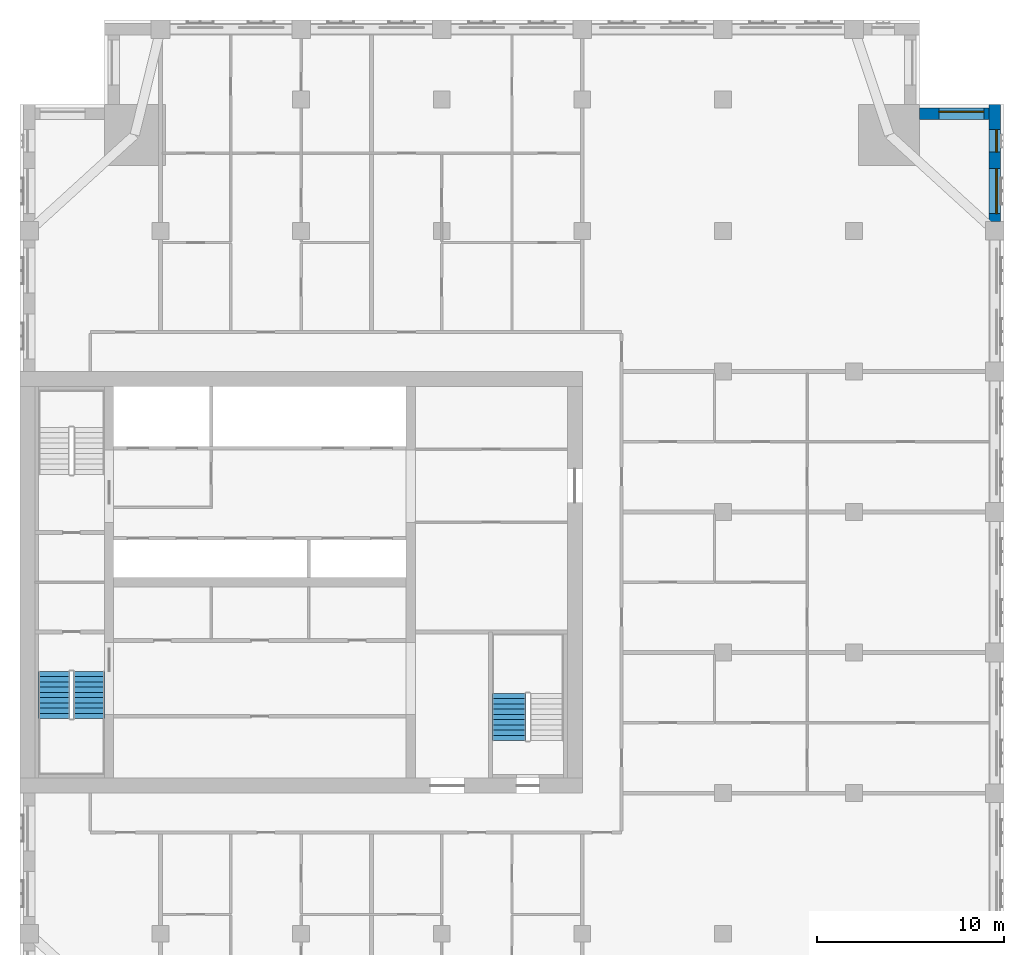
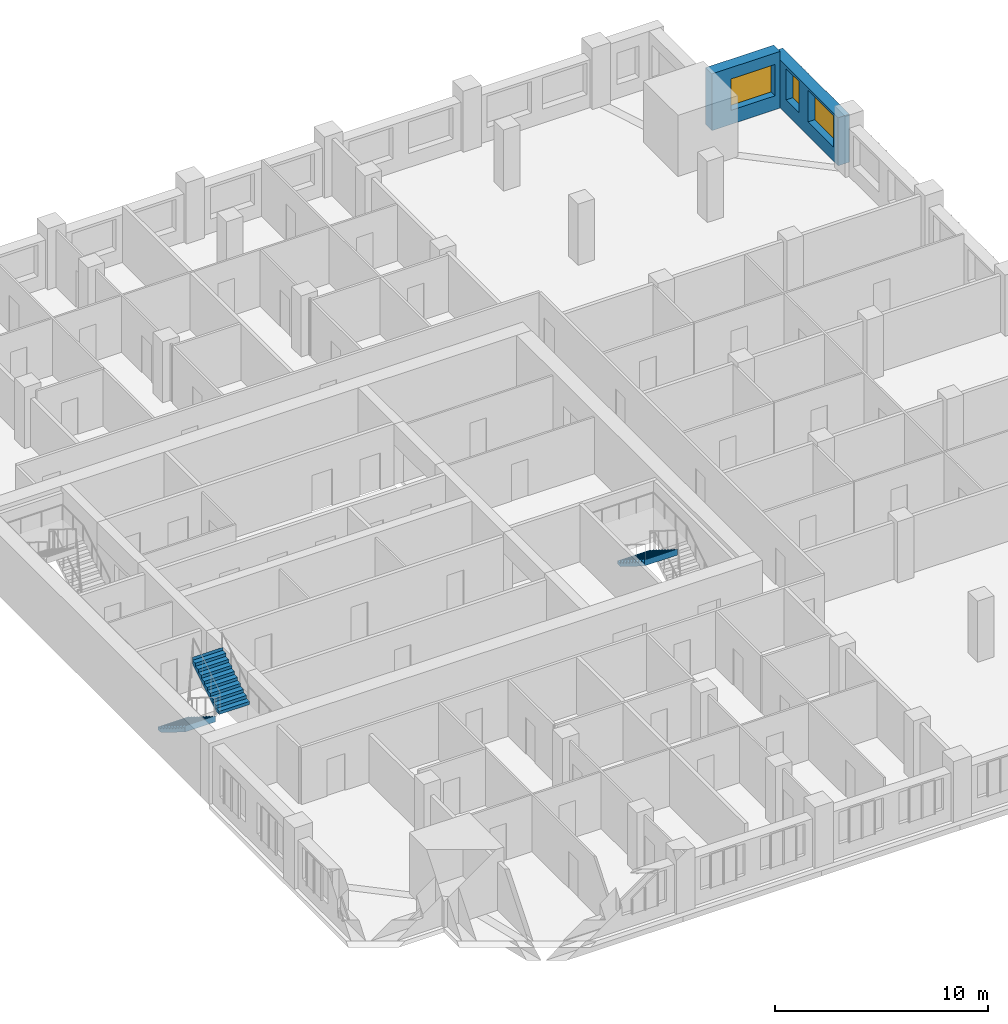
# One storey, part 12 of 14: 3 stair flights, 3 windows, 2 walls, 3 openings, 2 elements without a shape of their own.
"""IFC4 building model written with IfcOpenShell, lengths in metres."""

from ifc_helpers import new_model, si_unit, direction, frame, frame_2d, origin, place, context, subcontext, project, spatial, polyline, rectangle, outline, extrude, material, layer, layer_set, type_object, element, fill, aggregate, save


model = new_model("IFC4")

# Units and contexts
model_context = context("Model", 3, precision=1e-05, world=origin(), true_north=direction((0.0, 1.0)))
body_context = subcontext(model_context, "Body", "Model", "MODEL_VIEW")
ifc_project = project(units=[si_unit("LENGTHUNIT", "METRE"), si_unit("AREAUNIT", "SQUARE_METRE"), si_unit("VOLUMEUNIT", "CUBIC_METRE"), si_unit("PLANEANGLEUNIT", "RADIAN"), si_unit("MASSUNIT", "GRAM", prefix="KILO")], contexts=[model_context])

# Site, building, storey
site_placement = place(None, origin())
site = spatial("IfcSite", under=ifc_project, at=site_placement, CompositionType="ELEMENT")
building_placement = place(site_placement, origin())
building = spatial("IfcBuilding", under=site, at=building_placement, Name="Tamorin Gate", CompositionType="ELEMENT")
storey_placement = place(building_placement, frame((0.0, 0.0, 196.699951171875)))
storey = spatial("IfcBuildingStorey", under=building, at=storey_placement, Name="L48", CompositionType="ELEMENT", Elevation=196.699951171875)

# Wall, openings, windows
ifc_material_1 = material(Name="Precast concrete C40/50", Category="concrete")
ifc_layer = layer(ifc_material_1, 0.60009765625)
ifc_layer_set = layer_set([ifc_layer], Name="Precast concrete C40/50")
wall_type = type_object("IfcWallType", Name="Board-marked concrete facade panel 600", PredefinedType="SOLIDWALL", material=ifc_layer_set)
wall_1_placement = place(storey_placement, frame((82.0, 90.5, 0.0), z_axis=(0.0, 0.0, 1.0), x_axis=(0.0, 1.0, 0.0)))
wall_1 = element("IfcWall", 1, at=wall_1_placement, inside=storey, type_object=wall_type, Name="Facade panel", PredefinedType="SOLIDWALL", context=body_context, shape_type="SweptSolid", body=[
    extrude(rectangle(XDim=6.25, YDim=0.60009765625, at=frame_2d((3.125, 0.0))), origin(), (0.0, 0.0, 1.0), 2.75),
])
opening_1_placement = place(wall_1_placement, frame((0.425048828125, 0.0, 0.800048828125)))
opening_1 = element("IfcOpeningElement", 2, at=opening_1_placement, cuts=wall_1, Name="Opening WN1", PredefinedType="OPENING", context=body_context, shape_type="SweptSolid", body=[
    extrude(rectangle(XDim=2.39990234375, YDim=1.800048828125, at=frame_2d((1.199951171875, 0.89990234375))), frame((0.0, 0.31005859375, 0.0), z_axis=(0.0, -1.0, 0.0), x_axis=(1.0, 0.0, 0.0)), (0.0, 0.0, 1.0), 0.6201171875),
])
opening_2_placement = place(wall_1_placement, frame((3.699951171875, 0.0, 0.800048828125)))
opening_2 = element("IfcOpeningElement", 3, at=opening_2_placement, cuts=wall_1, Name="Opening WN3", PredefinedType="OPENING", context=body_context, shape_type="SweptSolid", body=[
    extrude(rectangle(XDim=1.199951171875, YDim=1.800048828125, at=frame_2d((0.60009765625, 0.89990234375))), frame((0.0, 0.31005859375, 0.0), z_axis=(0.0, -1.0, 0.0), x_axis=(1.0, 0.0, 0.0)), (0.0, 0.0, 1.0), 0.6201171875),
])
ifc_material_2 = material(Name="Clear glass in aluminium frame", Category="aluminium")
window_type_1 = type_object("IfcWindowType", Name="Deep-set window 1200x1800", PartitioningType="SINGLE_PANEL", PredefinedType="WINDOW", material=ifc_material_2)
window_1_placement = place(opening_2_placement, origin())
window_1 = element("IfcWindow", 4, at=window_1_placement, inside=storey, type_object=window_type_1, Name="Deep-set window", OverallHeight=1.800048828125, OverallWidth=1.199951171875, PartitioningType="SINGLE_PANEL", PredefinedType="WINDOW", context=body_context, shape_type="SweptSolid", body=[
    extrude(rectangle(XDim=1.199951171875, YDim=1.800048828125, at=frame_2d((0.60009765625, 0.89990234375))), frame((0.0, -0.070068359375, 0.0), z_axis=(0.0, -1.0, 0.0), x_axis=(1.0, 0.0, 0.0)), (0.0, 0.0, 1.0), 0.06005859375),
])
fill(opening_2, window_1)
window_type_2 = type_object("IfcWindowType", Name="Deep-set window 2400x1800", PartitioningType="SINGLE_PANEL", PredefinedType="WINDOW", material=ifc_material_2)
window_2_placement = place(opening_1_placement, origin())
window_2 = element("IfcWindow", 5, at=window_2_placement, inside=storey, type_object=window_type_2, Name="Deep-set window", OverallHeight=1.800048828125, OverallWidth=2.39990234375, PartitioningType="SINGLE_PANEL", PredefinedType="WINDOW", context=body_context, shape_type="SweptSolid", body=[
    extrude(rectangle(XDim=2.39990234375, YDim=1.800048828125, at=frame_2d((1.199951171875, 0.89990234375))), frame((0.0, -0.070068359375, 0.0), z_axis=(0.0, -1.0, 0.0), x_axis=(1.0, 0.0, 0.0)), (0.0, 0.0, 1.0), 0.06005859375),
])
fill(opening_1, window_2)

# Wall, opening, window
wall_2_placement = place(storey_placement, frame((81.699951171875, 96.25, 0.0), z_axis=(0.0, 0.0, 1.0), x_axis=(-1.0, 0.0, 0.0)))
wall_2 = element("IfcWall", 6, at=wall_2_placement, inside=storey, type_object=wall_type, Name="Facade panel", PredefinedType="SOLIDWALL", context=body_context, shape_type="SweptSolid", body=[
    extrude(rectangle(XDim=3.699951171875, YDim=0.60009765625, at=frame_2d((1.85009765625, 0.0))), origin(), (0.0, 0.0, 1.0), 3.25),
])
opening_3_placement = place(wall_2_placement, frame((0.27490234375, 0.0, 0.800048828125)))
opening_3 = element("IfcOpeningElement", 7, at=opening_3_placement, cuts=wall_2, Name="Opening WN1", PredefinedType="OPENING", context=body_context, shape_type="SweptSolid", body=[
    extrude(rectangle(XDim=2.39990234375, YDim=1.800048828125, at=frame_2d((1.199951171875, 0.89990234375))), frame((0.0, 0.31005859375, 0.0), z_axis=(0.0, -1.0, 0.0), x_axis=(1.0, 0.0, 0.0)), (0.0, 0.0, 1.0), 0.6201171875),
])
window_3_placement = place(opening_3_placement, origin())
window_3 = element("IfcWindow", 8, at=window_3_placement, inside=storey, type_object=window_type_2, Name="Deep-set window", OverallHeight=1.800048828125, OverallWidth=2.39990234375, PartitioningType="SINGLE_PANEL", PredefinedType="WINDOW", context=body_context, shape_type="SweptSolid", body=[
    extrude(rectangle(XDim=2.39990234375, YDim=1.800048828125, at=frame_2d((1.199951171875, 0.89990234375))), frame((0.0, -0.070068359375, 0.0), z_axis=(0.0, -1.0, 0.0), x_axis=(1.0, 0.0, 0.0)), (0.0, 0.0, 1.0), 0.06005859375),
])
fill(opening_3, window_3)

# Stair, stair flights
ifc_material_3 = material(Name="Concrete C40/50", Category="concrete")
stair_type = type_object("IfcStairType", Name="Exit stair", PredefinedType="HALF_TURN_STAIR", material=ifc_material_3)
stair_1_placement = place(storey_placement, origin())
stair_1 = element("IfcStair", 9, at=stair_1_placement, inside=storey, type_object=stair_type, Name="L48 stair ST1", PredefinedType="HALF_TURN_STAIR")
stair_flight_type = type_object("IfcStairFlightType", Name="Exit stair flight", PredefinedType="STRAIGHT", material=ifc_material_3)
stair_flight_1_placement = place(storey_placement, frame((31.824951171875, 66.5, 0.0), z_axis=(0.0, 0.0, 1.0), x_axis=(0.0, -1.0, 0.0)))
stair_flight_1 = element("IfcStairFlight", 10, at=stair_flight_1_placement, type_object=stair_flight_type, Name="ST1 flight 1", NumberOfRisers=10, NumberOfTreads=9, PredefinedType="STRAIGHT", RiserHeight=0.175, TreadLength=0.28, context=body_context, shape_type="SweptSolid", body=[
    extrude(outline(polyline([(-0.00048828125, 0.0), (-0.00048828125, 0.001708984375), (-0.00048828125, 0.00341796875), (-0.00048828125, 0.005126953125), (-0.00048828125, 0.0068359375), (-0.00048828125, 0.008544921875), (-0.00048828125, 0.010498046875), (-0.00048828125, 0.01220703125), (-0.00048828125, 0.013916015625), (-0.00048828125, 0.015625), (-0.00048828125, 0.017333984375), (-0.00048828125, 0.01904296875), (-0.00048828125, 0.020751953125), (-0.00048828125, 0.0224609375), (-0.00048828125, 0.024169921875), (-0.00048828125, 0.02587890625), (-0.00048828125, 0.02783203125), (-0.00048828125, 0.029541015625), (-0.00048828125, 0.03125), (-0.00048828125, 0.032958984375), (-0.00048828125, 0.03466796875), (-0.00048828125, 0.036376953125), (-0.00048828125, 0.0380859375), (-0.00048828125, 0.039794921875), (-0.00048828125, 0.04150390625), (-0.00048828125, 0.043212890625), (-0.00048828125, 0.045166015625), (-0.00048828125, 0.046875), (-0.00048828125, 0.048583984375), (-0.00048828125, 0.05029296875), (-0.00048828125, 0.052001953125), (-0.00048828125, 0.0537109375), (-0.00048828125, 0.055419921875), (-0.00048828125, 0.05712890625), (-0.00048828125, 0.058837890625), (-0.00048828125, 0.060546875), (-0.00048828125, 0.062255859375), (-0.00048828125, 0.064208984375), (-0.00048828125, 0.06591796875), (-0.00048828125, 0.067626953125), (-0.00048828125, 0.0693359375), (-0.00048828125, 0.071044921875), (-0.00048828125, 0.07275390625), (-0.00048828125, 0.074462890625), (-0.00048828125, 0.076171875), (-0.00048828125, 0.077880859375), (-0.00048828125, 0.07958984375), (-0.00048828125, 0.08154296875), (-0.00048828125, 0.083251953125), (-0.00048828125, 0.0849609375), (-0.00048828125, 0.086669921875), (-0.00048828125, 0.08837890625), (-0.00048828125, 0.090087890625), (-0.00048828125, 0.091796875), (-0.00048828125, 0.093505859375), (-0.00048828125, 0.09521484375), (-0.00048828125, 0.096923828125), (-0.00048828125, 0.098876953125), (-0.00048828125, 0.1005859375), (-0.00048828125, 0.102294921875), (-0.00048828125, 0.10400390625), (-0.00048828125, 0.105712890625), (-0.00048828125, 0.107421875), (-0.00048828125, 0.109130859375), (-0.00048828125, 0.11083984375), (-0.00048828125, 0.112548828125), (-0.00048828125, 0.1142578125), (-0.00048828125, 0.1162109375), (-0.00048828125, 0.117919921875), (-0.00048828125, 0.11962890625), (-0.00048828125, 0.121337890625), (-0.00048828125, 0.123046875), (-0.00048828125, 0.124755859375), (-0.00048828125, 0.12646484375), (-0.00048828125, 0.128173828125), (-0.00048828125, 0.1298828125), (-0.00048828125, 0.131591796875), (-0.00048828125, 0.13330078125), (-0.00048828125, 0.13525390625), (-0.00048828125, 0.136962890625), (-0.00048828125, 0.138671875), (-0.00048828125, 0.140380859375), (-0.00048828125, 0.14208984375), (-0.00048828125, 0.143798828125), (-0.00048828125, 0.1455078125), (-0.00048828125, 0.147216796875), (-0.00048828125, 0.14892578125), (-0.00048828125, 0.150634765625), (-0.00048828125, 0.152587890625), (-0.00048828125, 0.154296875), (-0.00048828125, 0.156005859375), (-0.00048828125, 0.15771484375), (-0.00048828125, 0.159423828125), (-0.00048828125, 0.1611328125), (-0.00048828125, 0.162841796875), (-0.00048828125, 0.16455078125), (-0.00048828125, 0.166259765625), (-0.00048828125, 0.16796875), (-0.00048828125, 0.169921875), (-0.00048828125, 0.171630859375), (-0.00048828125, 0.17333984375), (-0.00048828125, 0.175048828125), (0.280029296875, 0.175048828125), (0.280029296875, 0.35009765625), (0.56005859375, 0.35009765625), (0.56005859375, 0.52490234375), (0.840087890625, 0.52490234375), (0.840087890625, 0.699951171875), (1.1201171875, 0.699951171875), (1.1201171875, 0.875), (1.39990234375, 0.875), (1.39990234375, 1.050048828125), (1.679931640625, 1.050048828125), (1.679931640625, 1.22509765625), (1.9599609375, 1.22509765625), (1.9599609375, 1.39990234375), (2.239990234375, 1.39990234375), (2.239990234375, 1.574951171875), (2.52001953125, 1.574951171875), (2.52001953125, 1.75), (2.5205078125, 1.75), (2.5205078125, 1.74658203125), (2.5205078125, 1.742919921875), (2.5205078125, 1.739501953125), (2.5205078125, 1.736083984375), (2.5205078125, 1.732666015625), (2.5205078125, 1.72900390625), (2.5205078125, 1.7255859375), (2.5205078125, 1.72216796875), (2.5205078125, 1.71875), (2.5205078125, 1.715087890625), (2.5205078125, 1.711669921875), (2.5205078125, 1.708251953125), (2.5205078125, 1.704833984375), (2.5205078125, 1.701171875), (2.5205078125, 1.69775390625), (2.5205078125, 1.6943359375), (2.5205078125, 1.690673828125), (2.5205078125, 1.687255859375), (2.5205078125, 1.683837890625), (2.5205078125, 1.680419921875), (2.5205078125, 1.6767578125), (2.5205078125, 1.67333984375), (2.5205078125, 1.669921875), (2.5205078125, 1.66650390625), (2.5205078125, 1.662841796875), (2.5205078125, 1.659423828125), (2.5205078125, 1.656005859375), (2.5205078125, 1.652587890625), (2.5205078125, 1.64892578125), (2.5205078125, 1.6455078125), (2.5205078125, 1.64208984375), (2.5205078125, 1.638427734375), (2.5205078125, 1.635009765625), (2.5205078125, 1.631591796875), (2.5205078125, 1.628173828125), (2.5205078125, 1.62451171875), (2.5205078125, 1.62109375), (2.5205078125, 1.61767578125), (2.5205078125, 1.6142578125), (2.5205078125, 1.610595703125), (2.5205078125, 1.607177734375), (2.5205078125, 1.603759765625), (2.5205078125, 1.600341796875), (2.5205078125, 1.5966796875), (2.5205078125, 1.59326171875), (2.5205078125, 1.58984375), (2.5205078125, 1.58642578125), (2.5205078125, 1.582763671875), (2.5205078125, 1.579345703125), (2.5205078125, 1.575927734375), (2.5205078125, 1.572265625), (2.5205078125, 1.56884765625), (2.5205078125, 1.5654296875), (2.5205078125, 1.56201171875), (2.5205078125, 1.558349609375), (2.5205078125, 1.554931640625), (2.5205078125, 1.551513671875), (2.5205078125, 1.548095703125), (2.5205078125, 1.54443359375), (2.5205078125, 1.541015625), (2.5205078125, 1.53759765625), (2.5205078125, 1.5341796875), (2.5205078125, 1.530517578125), (2.5205078125, 1.527099609375), (2.5205078125, 1.523681640625), (2.5205078125, 1.52001953125), (2.5205078125, 1.5166015625), (2.5205078125, 1.51318359375), (2.5205078125, 1.509765625), (2.5205078125, 1.506103515625), (2.5205078125, 1.502685546875), (2.5205078125, 1.499267578125), (2.5205078125, 1.495849609375), (2.5205078125, 1.4921875), (2.5205078125, 1.48876953125), (2.5205078125, 1.4853515625), (2.5205078125, 1.48193359375), (2.5205078125, 1.478271484375), (2.5205078125, 1.474853515625), (2.5205078125, 1.471435546875), (2.5205078125, 1.4677734375), (2.5205078125, 1.46435546875), (2.5205078125, 1.4609375), (2.5205078125, 1.45751953125), (2.5205078125, 1.453857421875), (2.5205078125, 1.450439453125), (2.5205078125, 1.447021484375), (2.5205078125, 1.443603515625), (2.5205078125, 1.43994140625), (2.5205078125, 1.4365234375), (2.5205078125, 1.43310546875), (2.5205078125, 1.4296875), (2.5205078125, 1.426025390625), (2.5205078125, 1.422607421875), (2.5205078125, 1.419189453125), (2.5205078125, 1.41552734375), (2.5205078125, 1.412109375), (2.5205078125, 1.40869140625), (2.5205078125, 1.4052734375), (2.5205078125, 1.401611328125), (2.5205078125, 1.398193359375), (2.52001953125, 1.398193359375), (0.28271484375, 0.0), (-0.00048828125, 0.0)])), frame((0.0, 0.824951171875, 0.0), z_axis=(0.0, -1.0, 0.0), x_axis=(1.0, 0.0, 0.0)), (0.0, 0.0, 1.0), 1.64990234375),
])
stair_flight_2_placement = place(storey_placement, frame((33.675048828125, 63.97998046875, 1.75), z_axis=(0.0, 0.0, 1.0), x_axis=(0.0, 1.0, 0.0)))
stair_flight_2 = element("IfcStairFlight", 11, at=stair_flight_2_placement, type_object=stair_flight_type, Name="ST1 flight 2", NumberOfRisers=10, NumberOfTreads=9, PredefinedType="STRAIGHT", RiserHeight=0.175, TreadLength=0.28, context=body_context, shape_type="SweptSolid", body=[
    extrude(outline(polyline([(-0.00048828125, 0.0), (-0.00048828125, 0.001708984375), (-0.00048828125, 0.00341796875), (-0.00048828125, 0.005126953125), (-0.00048828125, 0.0068359375), (-0.00048828125, 0.008544921875), (-0.00048828125, 0.010498046875), (-0.00048828125, 0.01220703125), (-0.00048828125, 0.013916015625), (-0.00048828125, 0.015625), (-0.00048828125, 0.017333984375), (-0.00048828125, 0.01904296875), (-0.00048828125, 0.020751953125), (-0.00048828125, 0.0224609375), (-0.00048828125, 0.024169921875), (-0.00048828125, 0.02587890625), (-0.00048828125, 0.02783203125), (-0.00048828125, 0.029541015625), (-0.00048828125, 0.03125), (-0.00048828125, 0.032958984375), (-0.00048828125, 0.03466796875), (-0.00048828125, 0.036376953125), (-0.00048828125, 0.0380859375), (-0.00048828125, 0.039794921875), (-0.00048828125, 0.04150390625), (-0.00048828125, 0.043212890625), (-0.00048828125, 0.045166015625), (-0.00048828125, 0.046875), (-0.00048828125, 0.048583984375), (-0.00048828125, 0.05029296875), (-0.00048828125, 0.052001953125), (-0.00048828125, 0.0537109375), (-0.00048828125, 0.055419921875), (-0.00048828125, 0.05712890625), (-0.00048828125, 0.058837890625), (-0.00048828125, 0.060546875), (-0.00048828125, 0.062255859375), (-0.00048828125, 0.064208984375), (-0.00048828125, 0.06591796875), (-0.00048828125, 0.067626953125), (-0.00048828125, 0.0693359375), (-0.00048828125, 0.071044921875), (-0.00048828125, 0.07275390625), (-0.00048828125, 0.074462890625), (-0.00048828125, 0.076171875), (-0.00048828125, 0.077880859375), (-0.00048828125, 0.07958984375), (-0.00048828125, 0.08154296875), (-0.00048828125, 0.083251953125), (-0.00048828125, 0.0849609375), (-0.00048828125, 0.086669921875), (-0.00048828125, 0.08837890625), (-0.00048828125, 0.090087890625), (-0.00048828125, 0.091796875), (-0.00048828125, 0.093505859375), (-0.00048828125, 0.09521484375), (-0.00048828125, 0.096923828125), (-0.00048828125, 0.098876953125), (-0.00048828125, 0.1005859375), (-0.00048828125, 0.102294921875), (-0.00048828125, 0.10400390625), (-0.00048828125, 0.105712890625), (-0.00048828125, 0.107421875), (-0.00048828125, 0.109130859375), (-0.00048828125, 0.11083984375), (-0.00048828125, 0.112548828125), (-0.00048828125, 0.1142578125), (-0.00048828125, 0.1162109375), (-0.00048828125, 0.117919921875), (-0.00048828125, 0.11962890625), (-0.00048828125, 0.121337890625), (-0.00048828125, 0.123046875), (-0.00048828125, 0.124755859375), (-0.00048828125, 0.12646484375), (-0.00048828125, 0.128173828125), (-0.00048828125, 0.1298828125), (-0.00048828125, 0.131591796875), (-0.00048828125, 0.13330078125), (-0.00048828125, 0.13525390625), (-0.00048828125, 0.136962890625), (-0.00048828125, 0.138671875), (-0.00048828125, 0.140380859375), (-0.00048828125, 0.14208984375), (-0.00048828125, 0.143798828125), (-0.00048828125, 0.1455078125), (-0.00048828125, 0.147216796875), (-0.00048828125, 0.14892578125), (-0.00048828125, 0.150634765625), (-0.00048828125, 0.152587890625), (-0.00048828125, 0.154296875), (-0.00048828125, 0.156005859375), (-0.00048828125, 0.15771484375), (-0.00048828125, 0.159423828125), (-0.00048828125, 0.1611328125), (-0.00048828125, 0.162841796875), (-0.00048828125, 0.16455078125), (-0.00048828125, 0.166259765625), (-0.00048828125, 0.16796875), (-0.00048828125, 0.169921875), (-0.00048828125, 0.171630859375), (-0.00048828125, 0.17333984375), (-0.00048828125, 0.175048828125), (0.280029296875, 0.175048828125), (0.280029296875, 0.35009765625), (0.56005859375, 0.35009765625), (0.56005859375, 0.52490234375), (0.840087890625, 0.52490234375), (0.840087890625, 0.699951171875), (1.1201171875, 0.699951171875), (1.1201171875, 0.875), (1.39990234375, 0.875), (1.39990234375, 1.050048828125), (1.679931640625, 1.050048828125), (1.679931640625, 1.22509765625), (1.9599609375, 1.22509765625), (1.9599609375, 1.39990234375), (2.239990234375, 1.39990234375), (2.239990234375, 1.574951171875), (2.52001953125, 1.574951171875), (2.52001953125, 1.75), (2.5205078125, 1.75), (2.5205078125, 1.74658203125), (2.5205078125, 1.742919921875), (2.5205078125, 1.739501953125), (2.5205078125, 1.736083984375), (2.5205078125, 1.732666015625), (2.5205078125, 1.72900390625), (2.5205078125, 1.7255859375), (2.5205078125, 1.72216796875), (2.5205078125, 1.71875), (2.5205078125, 1.715087890625), (2.5205078125, 1.711669921875), (2.5205078125, 1.708251953125), (2.5205078125, 1.704833984375), (2.5205078125, 1.701171875), (2.5205078125, 1.69775390625), (2.5205078125, 1.6943359375), (2.5205078125, 1.690673828125), (2.5205078125, 1.687255859375), (2.5205078125, 1.683837890625), (2.5205078125, 1.680419921875), (2.5205078125, 1.6767578125), (2.5205078125, 1.67333984375), (2.5205078125, 1.669921875), (2.5205078125, 1.66650390625), (2.5205078125, 1.662841796875), (2.5205078125, 1.659423828125), (2.5205078125, 1.656005859375), (2.5205078125, 1.652587890625), (2.5205078125, 1.64892578125), (2.5205078125, 1.6455078125), (2.5205078125, 1.64208984375), (2.5205078125, 1.638427734375), (2.5205078125, 1.635009765625), (2.5205078125, 1.631591796875), (2.5205078125, 1.628173828125), (2.5205078125, 1.62451171875), (2.5205078125, 1.62109375), (2.5205078125, 1.61767578125), (2.5205078125, 1.6142578125), (2.5205078125, 1.610595703125), (2.5205078125, 1.607177734375), (2.5205078125, 1.603759765625), (2.5205078125, 1.600341796875), (2.5205078125, 1.5966796875), (2.5205078125, 1.59326171875), (2.5205078125, 1.58984375), (2.5205078125, 1.58642578125), (2.5205078125, 1.582763671875), (2.5205078125, 1.579345703125), (2.5205078125, 1.575927734375), (2.5205078125, 1.572265625), (2.5205078125, 1.56884765625), (2.5205078125, 1.5654296875), (2.5205078125, 1.56201171875), (2.5205078125, 1.558349609375), (2.5205078125, 1.554931640625), (2.5205078125, 1.551513671875), (2.5205078125, 1.548095703125), (2.5205078125, 1.54443359375), (2.5205078125, 1.541015625), (2.5205078125, 1.53759765625), (2.5205078125, 1.5341796875), (2.5205078125, 1.530517578125), (2.5205078125, 1.527099609375), (2.5205078125, 1.523681640625), (2.5205078125, 1.52001953125), (2.5205078125, 1.5166015625), (2.5205078125, 1.51318359375), (2.5205078125, 1.509765625), (2.5205078125, 1.506103515625), (2.5205078125, 1.502685546875), (2.5205078125, 1.499267578125), (2.5205078125, 1.495849609375), (2.5205078125, 1.4921875), (2.5205078125, 1.48876953125), (2.5205078125, 1.4853515625), (2.5205078125, 1.48193359375), (2.5205078125, 1.478271484375), (2.5205078125, 1.474853515625), (2.5205078125, 1.471435546875), (2.5205078125, 1.4677734375), (2.5205078125, 1.46435546875), (2.5205078125, 1.4609375), (2.5205078125, 1.45751953125), (2.5205078125, 1.453857421875), (2.5205078125, 1.450439453125), (2.5205078125, 1.447021484375), (2.5205078125, 1.443603515625), (2.5205078125, 1.43994140625), (2.5205078125, 1.4365234375), (2.5205078125, 1.43310546875), (2.5205078125, 1.4296875), (2.5205078125, 1.426025390625), (2.5205078125, 1.422607421875), (2.5205078125, 1.419189453125), (2.5205078125, 1.41552734375), (2.5205078125, 1.412109375), (2.5205078125, 1.40869140625), (2.5205078125, 1.4052734375), (2.5205078125, 1.401611328125), (2.5205078125, 1.398193359375), (2.52001953125, 1.398193359375), (0.28271484375, 0.0), (-0.00048828125, 0.0)])), frame((0.0, 0.824951171875, 0.0), z_axis=(0.0, -1.0, 0.0), x_axis=(1.0, 0.0, 0.0)), (0.0, 0.0, 1.0), 1.64990234375),
])
aggregate(stair_1, [stair_flight_1, stair_flight_2])

# Stair, stair flight
stair_2_placement = place(storey_placement, origin())
stair_2 = element("IfcStair", 12, at=stair_2_placement, inside=storey, type_object=stair_type, Name="L48 stair ST3", PredefinedType="HALF_TURN_STAIR")
stair_flight_3_placement = place(storey_placement, frame((56.10009765625, 65.320068359375, 1.75), z_axis=(0.0, 0.0, 1.0), x_axis=(0.0, -1.0, 0.0)))
stair_flight_3 = element("IfcStairFlight", 13, at=stair_flight_3_placement, type_object=stair_flight_type, Name="ST3 flight 2", NumberOfRisers=10, NumberOfTreads=9, PredefinedType="STRAIGHT", RiserHeight=0.175, TreadLength=0.28, context=body_context, shape_type="SweptSolid", body=[
    extrude(outline(polyline([(-0.00048828125, 0.0), (-0.00048828125, 0.001708984375), (-0.00048828125, 0.00341796875), (-0.00048828125, 0.005126953125), (-0.00048828125, 0.0068359375), (-0.00048828125, 0.008544921875), (-0.00048828125, 0.010498046875), (-0.00048828125, 0.01220703125), (-0.00048828125, 0.013916015625), (-0.00048828125, 0.015625), (-0.00048828125, 0.017333984375), (-0.00048828125, 0.01904296875), (-0.00048828125, 0.020751953125), (-0.00048828125, 0.0224609375), (-0.00048828125, 0.024169921875), (-0.00048828125, 0.02587890625), (-0.00048828125, 0.02783203125), (-0.00048828125, 0.029541015625), (-0.00048828125, 0.03125), (-0.00048828125, 0.032958984375), (-0.00048828125, 0.03466796875), (-0.00048828125, 0.036376953125), (-0.00048828125, 0.0380859375), (-0.00048828125, 0.039794921875), (-0.00048828125, 0.04150390625), (-0.00048828125, 0.043212890625), (-0.00048828125, 0.045166015625), (-0.00048828125, 0.046875), (-0.00048828125, 0.048583984375), (-0.00048828125, 0.05029296875), (-0.00048828125, 0.052001953125), (-0.00048828125, 0.0537109375), (-0.00048828125, 0.055419921875), (-0.00048828125, 0.05712890625), (-0.00048828125, 0.058837890625), (-0.00048828125, 0.060546875), (-0.00048828125, 0.062255859375), (-0.00048828125, 0.064208984375), (-0.00048828125, 0.06591796875), (-0.00048828125, 0.067626953125), (-0.00048828125, 0.0693359375), (-0.00048828125, 0.071044921875), (-0.00048828125, 0.07275390625), (-0.00048828125, 0.074462890625), (-0.00048828125, 0.076171875), (-0.00048828125, 0.077880859375), (-0.00048828125, 0.07958984375), (-0.00048828125, 0.08154296875), (-0.00048828125, 0.083251953125), (-0.00048828125, 0.0849609375), (-0.00048828125, 0.086669921875), (-0.00048828125, 0.08837890625), (-0.00048828125, 0.090087890625), (-0.00048828125, 0.091796875), (-0.00048828125, 0.093505859375), (-0.00048828125, 0.09521484375), (-0.00048828125, 0.096923828125), (-0.00048828125, 0.098876953125), (-0.00048828125, 0.1005859375), (-0.00048828125, 0.102294921875), (-0.00048828125, 0.10400390625), (-0.00048828125, 0.105712890625), (-0.00048828125, 0.107421875), (-0.00048828125, 0.109130859375), (-0.00048828125, 0.11083984375), (-0.00048828125, 0.112548828125), (-0.00048828125, 0.1142578125), (-0.00048828125, 0.1162109375), (-0.00048828125, 0.117919921875), (-0.00048828125, 0.11962890625), (-0.00048828125, 0.121337890625), (-0.00048828125, 0.123046875), (-0.00048828125, 0.124755859375), (-0.00048828125, 0.12646484375), (-0.00048828125, 0.128173828125), (-0.00048828125, 0.1298828125), (-0.00048828125, 0.131591796875), (-0.00048828125, 0.13330078125), (-0.00048828125, 0.13525390625), (-0.00048828125, 0.136962890625), (-0.00048828125, 0.138671875), (-0.00048828125, 0.140380859375), (-0.00048828125, 0.14208984375), (-0.00048828125, 0.143798828125), (-0.00048828125, 0.1455078125), (-0.00048828125, 0.147216796875), (-0.00048828125, 0.14892578125), (-0.00048828125, 0.150634765625), (-0.00048828125, 0.152587890625), (-0.00048828125, 0.154296875), (-0.00048828125, 0.156005859375), (-0.00048828125, 0.15771484375), (-0.00048828125, 0.159423828125), (-0.00048828125, 0.1611328125), (-0.00048828125, 0.162841796875), (-0.00048828125, 0.16455078125), (-0.00048828125, 0.166259765625), (-0.00048828125, 0.16796875), (-0.00048828125, 0.169921875), (-0.00048828125, 0.171630859375), (-0.00048828125, 0.17333984375), (-0.00048828125, 0.175048828125), (0.280029296875, 0.175048828125), (0.280029296875, 0.35009765625), (0.56005859375, 0.35009765625), (0.56005859375, 0.52490234375), (0.840087890625, 0.52490234375), (0.840087890625, 0.699951171875), (1.1201171875, 0.699951171875), (1.1201171875, 0.875), (1.39990234375, 0.875), (1.39990234375, 1.050048828125), (1.679931640625, 1.050048828125), (1.679931640625, 1.22509765625), (1.9599609375, 1.22509765625), (1.9599609375, 1.39990234375), (2.239990234375, 1.39990234375), (2.239990234375, 1.574951171875), (2.52001953125, 1.574951171875), (2.52001953125, 1.75), (2.5205078125, 1.75), (2.5205078125, 1.74658203125), (2.5205078125, 1.742919921875), (2.5205078125, 1.739501953125), (2.5205078125, 1.736083984375), (2.5205078125, 1.732666015625), (2.5205078125, 1.72900390625), (2.5205078125, 1.7255859375), (2.5205078125, 1.72216796875), (2.5205078125, 1.71875), (2.5205078125, 1.715087890625), (2.5205078125, 1.711669921875), (2.5205078125, 1.708251953125), (2.5205078125, 1.704833984375), (2.5205078125, 1.701171875), (2.5205078125, 1.69775390625), (2.5205078125, 1.6943359375), (2.5205078125, 1.690673828125), (2.5205078125, 1.687255859375), (2.5205078125, 1.683837890625), (2.5205078125, 1.680419921875), (2.5205078125, 1.6767578125), (2.5205078125, 1.67333984375), (2.5205078125, 1.669921875), (2.5205078125, 1.66650390625), (2.5205078125, 1.662841796875), (2.5205078125, 1.659423828125), (2.5205078125, 1.656005859375), (2.5205078125, 1.652587890625), (2.5205078125, 1.64892578125), (2.5205078125, 1.6455078125), (2.5205078125, 1.64208984375), (2.5205078125, 1.638427734375), (2.5205078125, 1.635009765625), (2.5205078125, 1.631591796875), (2.5205078125, 1.628173828125), (2.5205078125, 1.62451171875), (2.5205078125, 1.62109375), (2.5205078125, 1.61767578125), (2.5205078125, 1.6142578125), (2.5205078125, 1.610595703125), (2.5205078125, 1.607177734375), (2.5205078125, 1.603759765625), (2.5205078125, 1.600341796875), (2.5205078125, 1.5966796875), (2.5205078125, 1.59326171875), (2.5205078125, 1.58984375), (2.5205078125, 1.58642578125), (2.5205078125, 1.582763671875), (2.5205078125, 1.579345703125), (2.5205078125, 1.575927734375), (2.5205078125, 1.572265625), (2.5205078125, 1.56884765625), (2.5205078125, 1.5654296875), (2.5205078125, 1.56201171875), (2.5205078125, 1.558349609375), (2.5205078125, 1.554931640625), (2.5205078125, 1.551513671875), (2.5205078125, 1.548095703125), (2.5205078125, 1.54443359375), (2.5205078125, 1.541015625), (2.5205078125, 1.53759765625), (2.5205078125, 1.5341796875), (2.5205078125, 1.530517578125), (2.5205078125, 1.527099609375), (2.5205078125, 1.523681640625), (2.5205078125, 1.52001953125), (2.5205078125, 1.5166015625), (2.5205078125, 1.51318359375), (2.5205078125, 1.509765625), (2.5205078125, 1.506103515625), (2.5205078125, 1.502685546875), (2.5205078125, 1.499267578125), (2.5205078125, 1.495849609375), (2.5205078125, 1.4921875), (2.5205078125, 1.48876953125), (2.5205078125, 1.4853515625), (2.5205078125, 1.48193359375), (2.5205078125, 1.478271484375), (2.5205078125, 1.474853515625), (2.5205078125, 1.471435546875), (2.5205078125, 1.4677734375), (2.5205078125, 1.46435546875), (2.5205078125, 1.4609375), (2.5205078125, 1.45751953125), (2.5205078125, 1.453857421875), (2.5205078125, 1.450439453125), (2.5205078125, 1.447021484375), (2.5205078125, 1.443603515625), (2.5205078125, 1.43994140625), (2.5205078125, 1.4365234375), (2.5205078125, 1.43310546875), (2.5205078125, 1.4296875), (2.5205078125, 1.426025390625), (2.5205078125, 1.422607421875), (2.5205078125, 1.419189453125), (2.5205078125, 1.41552734375), (2.5205078125, 1.412109375), (2.5205078125, 1.40869140625), (2.5205078125, 1.4052734375), (2.5205078125, 1.401611328125), (2.5205078125, 1.398193359375), (2.52001953125, 1.398193359375), (0.28271484375, 0.0), (-0.00048828125, 0.0)])), frame((0.0, 0.89990234375, 0.0), z_axis=(0.0, -1.0, 0.0), x_axis=(1.0, 0.0, 0.0)), (0.0, 0.0, 1.0), 1.800048828125),
])
aggregate(stair_2, [stair_flight_3])

save(model, "model.ifc")
